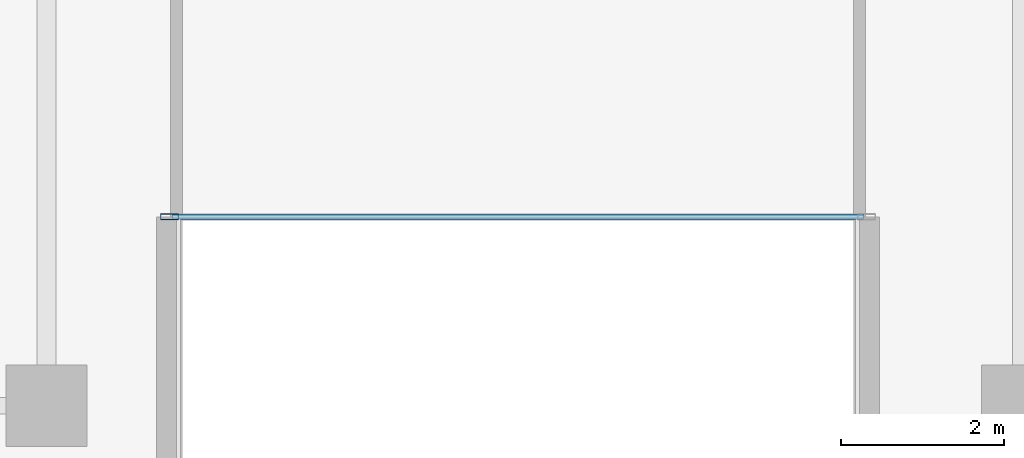
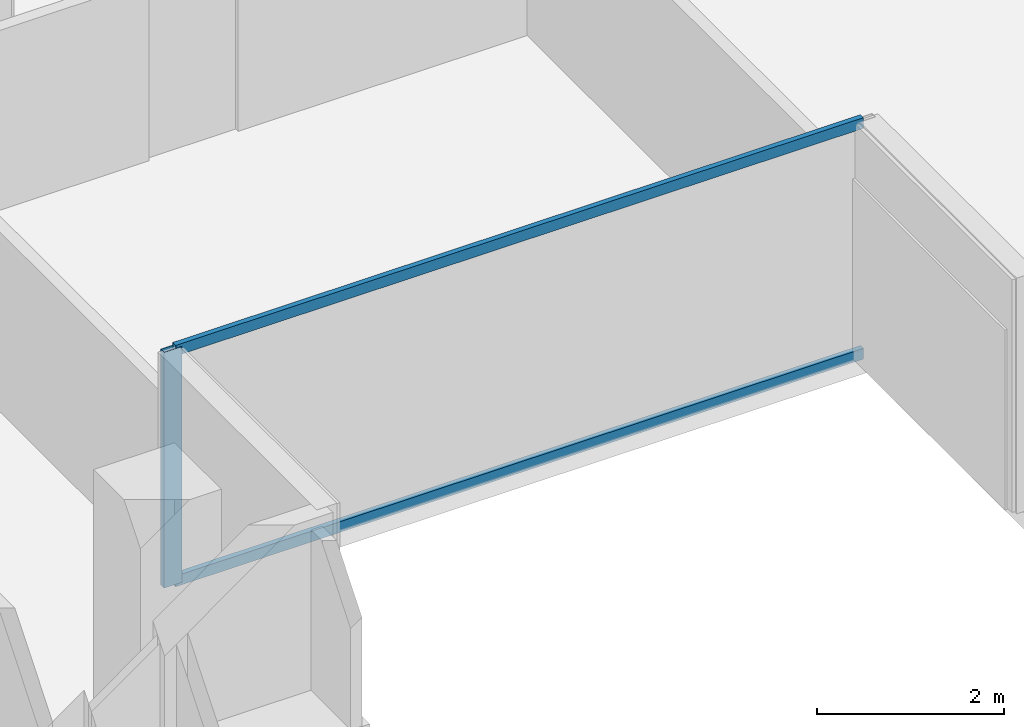
# One storey, part 4 of 35: 3 members, 1 element without a shape of its own.
"""IFC4 building model written with IfcOpenShell, lengths in metres."""

from ifc_helpers import new_model, si_unit, direction, frame, origin, origin_2d, place, context, subcontext, project, spatial, hollow_rectangle, extrude, material, layer, layer_set, material_profile, profile_set, type_object, element, aggregate, save


model = new_model("IFC4")

# Units and contexts
model_context = context("Model", 3, precision=1e-05, world=origin(), true_north=direction((0.0, 1.0)))
body_context = subcontext(model_context, "Body", "Model", "MODEL_VIEW")
ifc_project = project(units=[si_unit("LENGTHUNIT", "METRE"), si_unit("AREAUNIT", "SQUARE_METRE"), si_unit("VOLUMEUNIT", "CUBIC_METRE"), si_unit("PLANEANGLEUNIT", "RADIAN"), si_unit("MASSUNIT", "GRAM", prefix="KILO")], contexts=[model_context])

# Site, building, storey
site_placement = place(None, origin())
site = spatial("IfcSite", under=ifc_project, at=site_placement, CompositionType="ELEMENT")
building_placement = place(site_placement, origin())
building = spatial("IfcBuilding", under=site, at=building_placement, Name="Tanjung Sevakor Pilgrim Tower", CompositionType="ELEMENT")
storey_placement = place(building_placement, frame((0.0, 0.0, 92.070068359375)))
storey = spatial("IfcBuildingStorey", under=building, at=storey_placement, Name="L25", CompositionType="ELEMENT", Elevation=92.070068359375)

# Curtain wall, members
ifc_material_1 = material(Name="Aluminium 6063-T6 and Low-E Glass", Category="aluminium")
ifc_layer = layer(ifc_material_1, 0.179931640625)
ifc_layer_set = layer_set([ifc_layer], Name="CW-SYS-CLEFT")
curtain_wall_type = type_object("IfcCurtainWallType", Name="CW-SYS-CLEFT", PredefinedType="NOTDEFINED", material=ifc_layer_set)
curtain_wall_placement = place(storey_placement, origin())
curtain_wall = element("IfcCurtainWall", 1, at=curtain_wall_placement, inside=storey, type_object=curtain_wall_type, Name="L25 Curtain Wall CW-CLF-L25-2", PredefinedType="NOTDEFINED")
ifc_material_2 = material(Name="Aluminium 6063-T6", Category="aluminium")
ifc_material_profile_1 = material_profile(ifc_material_2, hollow_rectangle(XDim=0.074951171875, YDim=0.219970703125, WallThickness=0.0048828125, at=origin_2d()))
ifc_profile_set_1 = profile_set([ifc_material_profile_1], Name="Aluminium 6063-T6")
member_type_1 = type_object("IfcMemberType", Name="TYPE-CWM-2", PredefinedType="MULLION", material=ifc_profile_set_1)
member_1_placement = place(storey_placement, frame((43.512451171875, 13.125, 0.0), z_axis=(0.0, 0.0, 1.0), x_axis=(0.0, 1.0, 0.0)))
member_1 = element("IfcMember", 2, at=member_1_placement, type_object=member_type_1, Name="CW-CLF mullion 1", PredefinedType="MULLION", context=body_context, shape_type="SweptSolid", body=[
    extrude(hollow_rectangle(XDim=0.074951171875, YDim=0.219970703125, WallThickness=0.0048828125, at=origin_2d()), origin(), (0.0, 0.0, 1.0), 3.079833984375),
])
ifc_material_3 = material(Name="Aluminium 6063-T6", Category="aluminium")
ifc_material_profile_2 = material_profile(ifc_material_3, hollow_rectangle(XDim=0.06494140625, YDim=0.139892578125, WallThickness=0.00390625, at=origin_2d()))
ifc_profile_set_2 = profile_set([ifc_material_profile_2], Name="Aluminium 6063-T6")
member_type_2 = type_object("IfcMemberType", Name="TYPE-CWT-1", PredefinedType="USERDEFINED", material=ifc_profile_set_2)
member_2_placement = place(storey_placement, frame((43.550048828125, 13.125, 0.032470703125), z_axis=(1.0, 0.0, 0.0), x_axis=(0.0, 1.0, 0.0)))
member_2 = element("IfcMember", 3, at=member_2_placement, type_object=member_type_2, Name="CW-CLF transom 1.1", ObjectType="TRANSOM", PredefinedType="USERDEFINED", context=body_context, shape_type="SweptSolid", body=[
    extrude(hollow_rectangle(XDim=0.06494140625, YDim=0.139892578125, WallThickness=0.00390625, at=origin_2d()), origin(), (0.0, 0.0, 1.0), 8.5),
])
member_3_placement = place(storey_placement, frame((43.550048828125, 13.125, 3.04736328125), z_axis=(1.0, 0.0, 0.0), x_axis=(0.0, 1.0, 0.0)))
member_3 = element("IfcMember", 4, at=member_3_placement, type_object=member_type_2, Name="CW-CLF transom 1.2", ObjectType="TRANSOM", PredefinedType="USERDEFINED", context=body_context, shape_type="SweptSolid", body=[
    extrude(hollow_rectangle(XDim=0.06494140625, YDim=0.139892578125, WallThickness=0.00390625, at=origin_2d()), origin(), (0.0, 0.0, 1.0), 8.5),
])
aggregate(curtain_wall, [member_1, member_2, member_3])

save(model, "model.ifc")
